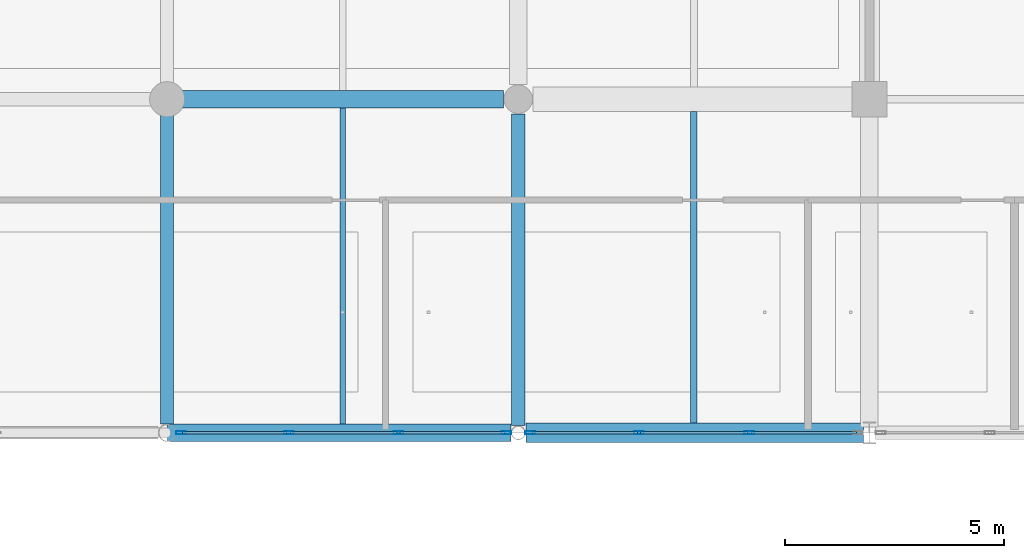
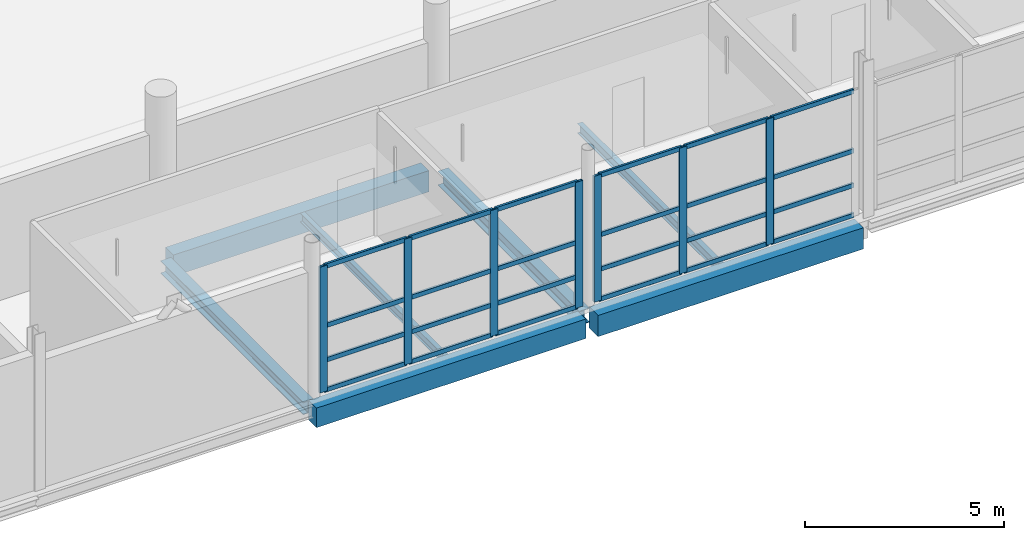
# One storey, part 50 of 141: 31 members, 7 beams, 2 elements without a shape of their own.
"""IFC4 building model written with IfcOpenShell, lengths in metres."""

import ifcopenshell
import ifcopenshell.guid

model = None  # the IFC model being written
_history = None  # IfcOwnerHistory: only IFC2X3 demands one
_inside = {}  # id of a spatial element -> (the spatial element, [elements in it])
_under = {}  # id of a project, library or spatial element -> (it, [spatial elements below it])
_declared = {}  # id of a project -> (the project, [libraries it declares])
_typed = {}  # id of a type object -> (the type object, [elements of that type])
_made_of = {}  # id of a material, layer set ... -> (it, [elements and type objects made of it])


def new_model(schema):
    """Start an empty IFC model of exactly this schema.

    Asked for "IFC4X3", IfcOpenShell would pick the latest addendum, in which some entities
    have other attributes; the version numbers below select the first issue.
    IFC2X3 requires an IfcOwnerHistory on every rooted entity: one is made here for all.
    """
    global model, _history
    if schema == "IFC4X3":
        model = ifcopenshell.file(schema_version=(4, 3, 0, 0))
    else:
        model = ifcopenshell.file(schema=schema)
    _inside.clear()
    _under.clear()
    _declared.clear()
    _typed.clear()
    _made_of.clear()
    _history = None
    if model.schema == "IFC2X3":
        org = make("IfcOrganization", Name="unknown")
        user = make(
            "IfcPersonAndOrganization",
            ThePerson=make("IfcPerson", FamilyName="unknown"),
            TheOrganization=org,
        )
        app = make(
            "IfcApplication",
            ApplicationDeveloper=org,
            Version="unknown",
            ApplicationFullName="unknown",
            ApplicationIdentifier="unknown",
        )
        _history = make(
            "IfcOwnerHistory",
            OwningUser=user,
            OwningApplication=app,
            ChangeAction="ADDED",
            CreationDate=0,
        )
    return model


def make(cls, **values):
    """One entity of the class cls with the attributes given. An attribute that is None is left unset."""
    return model.create_entity(
        cls, **{name: value for name, value in values.items() if value is not None}
    )


def rooted(cls, **values):
    """An entity with a GlobalId (a new one), such as an element, a storey or a relation."""
    return make(cls, GlobalId=ifcopenshell.guid.new(), OwnerHistory=_history, **values)


def si_unit(unit_type, name, prefix=None):
    """IfcSIUnit, for example si_unit("LENGTHUNIT", "METRE", prefix="MILLI")."""
    return make("IfcSIUnit", UnitType=unit_type, Prefix=prefix, Name=name)


def assignment(units):
    """IfcUnitAssignment: the units of a project."""
    return None if units is None else make("IfcUnitAssignment", Units=units)


def point(xyz):
    """IfcCartesianPoint."""
    return None if xyz is None else make("IfcCartesianPoint", Coordinates=xyz)


def direction(xyz):
    """IfcDirection."""
    return None if xyz is None else make("IfcDirection", DirectionRatios=xyz)


def frame(location, z_axis=None, x_axis=None):
    """IfcAxis2Placement3D, a coordinate frame: its origin and axes. An axis left out is left unset."""
    return make(
        "IfcAxis2Placement3D",
        Location=point(location),
        Axis=direction(z_axis),
        RefDirection=direction(x_axis),
    )


def frame_2d(location, x_axis=None):
    """IfcAxis2Placement2D, a coordinate frame in the plane: its origin and x axis."""
    return make(
        "IfcAxis2Placement2D", Location=point(location), RefDirection=direction(x_axis)
    )


def origin():
    """The frame at (0, 0, 0) with its axes left unset."""
    return frame((0.0, 0.0, 0.0))


def origin_2d():
    """The frame at (0, 0) in the plane with its x axis left unset."""
    return frame_2d((0.0, 0.0))


def place(relative_to, where):
    """IfcLocalPlacement: puts the frame where relative to a parent placement (None: the world)."""
    return make(
        "IfcLocalPlacement", PlacementRelTo=relative_to, RelativePlacement=where
    )


def context(
    kind, dimensions, precision=None, world=None, true_north=None, identifier=None
):
    """IfcGeometricRepresentationContext, for example the 3D "Model" context."""
    return make(
        "IfcGeometricRepresentationContext",
        ContextIdentifier=identifier,
        ContextType=kind,
        CoordinateSpaceDimension=dimensions,
        Precision=precision,
        WorldCoordinateSystem=world,
        TrueNorth=true_north,
    )


def subcontext(parent, identifier, kind, view, scale=None):
    """IfcGeometricRepresentationSubContext, for example "Body" below "Model"."""
    return make(
        "IfcGeometricRepresentationSubContext",
        ContextIdentifier=identifier,
        ContextType=kind,
        ParentContext=parent,
        TargetScale=scale,
        TargetView=view,
    )


def project(units=None, contexts=None):
    """IfcProject with its units and contexts."""
    return rooted(
        "IfcProject",
        Name="project",
        RepresentationContexts=contexts,
        UnitsInContext=assignment(units),
    )


def spatial(cls, under=None, at=None, **own):
    """A site, building, storey or space (cls), placed at a placement, below another one or the project."""
    s = rooted(cls, ObjectPlacement=at, **own)
    if under is not None:
        _under.setdefault(under.id(), (under, []))[1].append(s)
    return s


def profile(cls, at=None, kind="AREA", **sizes):
    """A parametric profile (cls). Its sizes go by their IFC names, for example OverallWidth=200.0."""
    return make(cls, ProfileType=kind, Position=at, **sizes)


def rectangle(**sizes):
    """IfcRectangleProfileDef."""
    return profile("IfcRectangleProfileDef", **sizes)


def hollow_rectangle(**sizes):
    """IfcRectangleHollowProfileDef."""
    return profile("IfcRectangleHollowProfileDef", **sizes)


def i_section(**sizes):
    """IfcIShapeProfileDef."""
    return profile("IfcIShapeProfileDef", **sizes)


def extrude(swept, where, along, depth):
    """IfcExtrudedAreaSolid: the profile swept, set in the frame where, extruded along a direction by depth."""
    return make(
        "IfcExtrudedAreaSolid",
        SweptArea=swept,
        Position=where,
        ExtrudedDirection=direction(along),
        Depth=depth,
    )


def shape(context_of_items, identifier, shape_type, items):
    """IfcShapeRepresentation: the items that make up one representation, for example the "Body"."""
    return make(
        "IfcShapeRepresentation",
        ContextOfItems=context_of_items,
        RepresentationIdentifier=identifier,
        RepresentationType=shape_type,
        Items=items,
    )


def material(Name=None, Category=None):
    """IfcMaterial."""
    return make("IfcMaterial", Name=Name, Category=Category)


def material_profile(
    of_material, cross_section, Name=None, Category=None, Priority=None
):
    """IfcMaterialProfile: a cross section and its material."""
    return make(
        "IfcMaterialProfile",
        Name=Name,
        Material=of_material,
        Profile=cross_section,
        Priority=Priority,
        Category=Category,
    )


def profile_set(profiles, Name=None, composite=None):
    """IfcMaterialProfileSet."""
    return make(
        "IfcMaterialProfileSet",
        Name=Name,
        MaterialProfiles=profiles,
        CompositeProfile=composite,
    )


def made_of(thing, what):
    """Note that an element or type object is made of a material, layer set ...; save() writes the relation."""
    if what is not None:
        _made_of.setdefault(what.id(), (what, []))[1].append(thing)
    return thing


def type_object(cls, material=None, **own):
    """A type object (cls), such as IfcWallType, which elements share."""
    return made_of(rooted(cls, **own), material)


def element(
    cls,
    number,
    at=None,
    inside=None,
    cuts=None,
    type_object=None,
    material=None,
    context=None,
    identifier="Body",
    shape_type=None,
    held_by="IfcProductDefinitionShape",
    body=None,
    shapes=None,
    **own,
):
    """One element of the class cls, such as IfcWall. Its Tag is "e" and its number.

    at: its placement. inside: the storey or other place that contains it. cuts: it is an
    opening in that element (IfcRelVoidsElement). A single representation is given by context,
    identifier, shape_type and body (its items); several are given by shapes. held_by: the class
    of the entity that holds the representations. save() writes the other relations.
    """
    e = rooted(cls, Tag="e%d" % number, ObjectPlacement=at, **own)
    if body is not None:
        shapes = [shape(context, identifier, shape_type, body)]
    if shapes is not None:
        e.Representation = make(held_by, Representations=shapes)
    if inside is not None:
        _inside.setdefault(inside.id(), (inside, []))[1].append(e)
    if cuts is not None:
        rooted(
            "IfcRelVoidsElement", RelatingBuildingElement=cuts, RelatedOpeningElement=e
        )
    if type_object is not None:
        _typed.setdefault(type_object.id(), (type_object, []))[1].append(e)
    return made_of(e, material)


def aggregate(whole, parts):
    """IfcRelAggregates: a whole, such as a stair, and the parts it consists of."""
    return rooted("IfcRelAggregates", RelatingObject=whole, RelatedObjects=parts)


def save(model, path):
    """Write the relations noted so far, then the file.

    IfcRelAggregates (storeys below a building ...), IfcRelContainedInSpatialStructure (elements
    in a storey), IfcRelDefinesByType, IfcRelAssociatesMaterial and IfcRelDeclares: one each for
    every whole, place, type object, material and project.
    """
    for whole, parts in _under.values():
        aggregate(whole, parts)
    for where, things in _inside.values():
        rooted(
            "IfcRelContainedInSpatialStructure",
            RelatedElements=things,
            RelatingStructure=where,
        )
    for kind, things in _typed.values():
        rooted("IfcRelDefinesByType", RelatedObjects=things, RelatingType=kind)
    for what, things in _made_of.values():
        rooted("IfcRelAssociatesMaterial", RelatedObjects=things, RelatingMaterial=what)
    for by, libraries in _declared.values():
        rooted("IfcRelDeclares", RelatingContext=by, RelatedDefinitions=libraries)
    model.write(path)


model = new_model("IFC4")

# Units and contexts
model_context = context("Model", 3, precision=1e-05, world=origin(), true_north=direction((0.0, 1.0)))
body_context = subcontext(model_context, "Body", "Model", "MODEL_VIEW")
ifc_project = project(units=[si_unit("LENGTHUNIT", "METRE"), si_unit("AREAUNIT", "SQUARE_METRE"), si_unit("VOLUMEUNIT", "CUBIC_METRE"), si_unit("PLANEANGLEUNIT", "RADIAN"), si_unit("MASSUNIT", "GRAM", prefix="KILO")], contexts=[model_context])

# Site, building, storey
site_placement = place(None, origin())
site = spatial("IfcSite", under=ifc_project, at=site_placement, CompositionType="ELEMENT")
building_placement = place(site_placement, origin())
building = spatial("IfcBuilding", under=site, at=building_placement, Name="Khelvaren Railside Concert Hall", CompositionType="ELEMENT")
storey_placement = place(building_placement, frame((0.0, 0.0, 10.199951171875)))
storey = spatial("IfcBuildingStorey", under=building, at=storey_placement, Name="L02", CompositionType="ELEMENT", Elevation=10.199951171875)

# Beams
ifc_material_1 = material(Name="Steel S355", Category="steel")
ifc_material_profile_1 = material_profile(ifc_material_1, i_section(OverallWidth=0.300048828125, OverallDepth=0.389892578125, WebThickness=0.010986328125, FlangeThickness=0.01904296875, FilletRadius=0.027099609375, at=origin_2d()), Name="HEA 400")
ifc_profile_set_1 = profile_set([ifc_material_profile_1], Name="Steel S355")
beam_type_1 = type_object("IfcBeamType", Name="BM23", PredefinedType="BEAM", material=ifc_profile_set_1)
beam_1_placement = place(storey_placement, frame((160.0, 0.195068359375, -0.48486328125), z_axis=(0.0, 1.0, 0.0), x_axis=(-1.0, 0.0, 0.0)))
element("IfcBeam", 1, at=beam_1_placement, inside=storey, type_object=beam_type_1, Name="V2 L02 Beam Y3.1", PredefinedType="BEAM", context=body_context, shape_type="SweptSolid", body=[
    extrude(i_section(OverallWidth=0.300048828125, OverallDepth=0.389892578125, WebThickness=0.010986328125, FlangeThickness=0.01904296875, FilletRadius=0.027099609375, at=origin_2d()), origin(), (0.0, 0.0, 1.0), 7.155029296875),
])
ifc_material_2 = material(Name="Concrete C40/50", Category="concrete")
ifc_material_profile_2 = material_profile(ifc_material_2, rectangle(XDim=0.39990234375, YDim=0.64990234375, at=origin_2d()), Name="RCB 400x650")
ifc_profile_set_2 = profile_set([ifc_material_profile_2], Name="Concrete C40/50")
beam_type_2 = type_object("IfcBeamType", Name="BM33", PredefinedType="BEAM", material=ifc_profile_set_2)
beam_2_placement = place(storey_placement, frame((160.25, 7.60009765625, -0.614990234375), z_axis=(1.0, 0.0, 0.0), x_axis=(0.0, 1.0, 0.0)))
element("IfcBeam", 2, at=beam_2_placement, inside=storey, type_object=beam_type_2, Name="V2 L02 Beam X2.3", PredefinedType="BEAM", context=body_context, shape_type="SweptSolid", body=[
    extrude(rectangle(XDim=0.39990234375, YDim=0.64990234375, at=origin_2d()), origin(), (0.0, 0.0, 1.0), 7.4140625),
])
ifc_material_profile_3 = material_profile(ifc_material_1, i_section(OverallWidth=0.300048828125, OverallDepth=0.43994140625, WebThickness=0.011474609375, FlangeThickness=0.02099609375, FilletRadius=0.027099609375, at=origin_2d()), Name="HEA 450")
ifc_profile_set_3 = profile_set([ifc_material_profile_3], Name="Steel S355")
beam_type_3 = type_object("IfcBeamType", Name="BM89", PredefinedType="BEAM", material=ifc_profile_set_3)
beam_3_placement = place(storey_placement, frame((168.0, 0.170654296875, -0.510009765625), z_axis=(0.0, 1.0, 0.0), x_axis=(-1.0, 0.0, 0.0)))
element("IfcBeam", 3, at=beam_3_placement, inside=storey, type_object=beam_type_3, Name="V2 L02 Beam Y4.1", PredefinedType="BEAM", context=body_context, shape_type="SweptSolid", body=[
    extrude(i_section(OverallWidth=0.300048828125, OverallDepth=0.43994140625, WebThickness=0.011474609375, FlangeThickness=0.02099609375, FilletRadius=0.027099609375, at=origin_2d()), origin(), (0.0, 0.0, 1.0), 7.09326171875),
])

# Curtain wall, members
ifc_material_3 = material(Name="Double-glazed clear foyer glass", Category="glass")
curtain_wall_type_1 = type_object("IfcCurtainWallType", Name="CW68", PredefinedType="USERDEFINED", material=ifc_material_3)
curtain_wall_1_placement = place(storey_placement, origin())
curtain_wall_1 = element("IfcCurtainWall", 4, at=curtain_wall_1_placement, inside=storey, type_object=curtain_wall_type_1, Name="Unitised Curtain Wall CW-V2-L02-S-160", ObjectType="UNITISED CURTAIN WALL", PredefinedType="USERDEFINED")
ifc_material_4 = material(Name="Anodised architectural aluminium 6063-T6", Category="aluminium")
ifc_material_profile_4 = material_profile(ifc_material_4, hollow_rectangle(XDim=0.074951171875, YDim=0.219970703125, WallThickness=0.0048828125, InnerFilletRadius=0.0029296875, OuterFilletRadius=0.0048828125, at=origin_2d()), Name="CWM 75x220x5")
ifc_profile_set_4 = profile_set([ifc_material_profile_4], Name="Anodised architectural aluminium 6063-T6")
member_type_1 = type_object("IfcMemberType", Name="CWM13", PredefinedType="MULLION", material=ifc_profile_set_4)
member_1_placement = place(storey_placement, frame((167.72802734375, 0.0, 0.0), z_axis=(0.0, 0.0, 1.0), x_axis=(0.0, -1.0, 0.0)))
member_1 = element("IfcMember", 5, at=member_1_placement, type_object=member_type_1, Name="CW68 mullion 1", PredefinedType="MULLION", context=body_context, shape_type="SweptSolid", body=[
    extrude(hollow_rectangle(XDim=0.074951171875, YDim=0.219970703125, WallThickness=0.0048828125, InnerFilletRadius=0.0029296875, OuterFilletRadius=0.0048828125, at=origin_2d()), origin(), (0.0, 0.0, 1.0), 3.860107421875),
])
member_2_placement = place(storey_placement, frame((165.268798828125, 0.0, 0.0), z_axis=(0.0, 0.0, 1.0), x_axis=(0.0, -1.0, 0.0)))
member_2 = element("IfcMember", 6, at=member_2_placement, type_object=member_type_1, Name="CW68 mullion 2", PredefinedType="MULLION", context=body_context, shape_type="SweptSolid", body=[
    extrude(hollow_rectangle(XDim=0.074951171875, YDim=0.219970703125, WallThickness=0.0048828125, InnerFilletRadius=0.0029296875, OuterFilletRadius=0.0048828125, at=origin_2d()), origin(), (0.0, 0.0, 1.0), 3.860107421875),
])
member_3_placement = place(storey_placement, frame((162.772216796875, 0.0, 0.0), z_axis=(0.0, 0.0, 1.0), x_axis=(0.0, -1.0, 0.0)))
member_3 = element("IfcMember", 7, at=member_3_placement, type_object=member_type_1, Name="CW68 mullion 3", PredefinedType="MULLION", context=body_context, shape_type="SweptSolid", body=[
    extrude(hollow_rectangle(XDim=0.074951171875, YDim=0.219970703125, WallThickness=0.0048828125, InnerFilletRadius=0.0029296875, OuterFilletRadius=0.0048828125, at=origin_2d()), origin(), (0.0, 0.0, 1.0), 3.860107421875),
])
member_4_placement = place(storey_placement, frame((160.313232421875, 0.0, 0.0), z_axis=(0.0, 0.0, 1.0), x_axis=(0.0, -1.0, 0.0)))
member_4 = element("IfcMember", 8, at=member_4_placement, type_object=member_type_1, Name="CW68 mullion 4", PredefinedType="MULLION", context=body_context, shape_type="SweptSolid", body=[
    extrude(hollow_rectangle(XDim=0.074951171875, YDim=0.219970703125, WallThickness=0.0048828125, InnerFilletRadius=0.0029296875, OuterFilletRadius=0.0048828125, at=origin_2d()), origin(), (0.0, 0.0, 1.0), 3.860107421875),
])

curtain_wall_type_2 = type_object("IfcCurtainWallType", Name="CW70", PredefinedType="USERDEFINED", material=ifc_material_3)
curtain_wall_2_placement = place(storey_placement, origin())
curtain_wall_2 = element("IfcCurtainWall", 9, at=curtain_wall_2_placement, inside=storey, type_object=curtain_wall_type_2, Name="Unitised Curtain Wall CW-V2-L02-S-168", ObjectType="UNITISED CURTAIN WALL", PredefinedType="USERDEFINED")
member_5_placement = place(storey_placement, frame((173.26318359375, 0.0, 0.0), z_axis=(0.0, 0.0, 1.0), x_axis=(0.0, -1.0, 0.0)))
member_5 = element("IfcMember", 10, at=member_5_placement, type_object=member_type_1, Name="CW70 mullion 2", PredefinedType="MULLION", context=body_context, shape_type="SweptSolid", body=[
    extrude(hollow_rectangle(XDim=0.074951171875, YDim=0.219970703125, WallThickness=0.0048828125, InnerFilletRadius=0.0029296875, OuterFilletRadius=0.0048828125, at=origin_2d()), origin(), (0.0, 0.0, 1.0), 3.860107421875),
])
member_6_placement = place(storey_placement, frame((170.748779296875, 0.0, 0.0), z_axis=(0.0, 0.0, 1.0), x_axis=(0.0, -1.0, 0.0)))
member_6 = element("IfcMember", 11, at=member_6_placement, type_object=member_type_1, Name="CW70 mullion 3", PredefinedType="MULLION", context=body_context, shape_type="SweptSolid", body=[
    extrude(hollow_rectangle(XDim=0.074951171875, YDim=0.219970703125, WallThickness=0.0048828125, InnerFilletRadius=0.0029296875, OuterFilletRadius=0.0048828125, at=origin_2d()), origin(), (0.0, 0.0, 1.0), 3.860107421875),
])
member_7_placement = place(storey_placement, frame((168.27197265625, 0.0, 0.0), z_axis=(0.0, 0.0, 1.0), x_axis=(0.0, -1.0, 0.0)))
member_7 = element("IfcMember", 12, at=member_7_placement, type_object=member_type_1, Name="CW70 mullion 4", PredefinedType="MULLION", context=body_context, shape_type="SweptSolid", body=[
    extrude(hollow_rectangle(XDim=0.074951171875, YDim=0.219970703125, WallThickness=0.0048828125, InnerFilletRadius=0.0029296875, OuterFilletRadius=0.0048828125, at=origin_2d()), origin(), (0.0, 0.0, 1.0), 3.860107421875),
])

# Member
ifc_material_profile_5 = material_profile(ifc_material_4, hollow_rectangle(XDim=0.06494140625, YDim=0.139892578125, WallThickness=0.00390625, InnerFilletRadius=0.001953125, OuterFilletRadius=0.00390625, at=origin_2d()), Name="CWT 65x140x4")
ifc_profile_set_5 = profile_set([ifc_material_profile_5], Name="Anodised architectural aluminium 6063-T6")
member_type_2 = type_object("IfcMemberType", Name="CWT72", PredefinedType="USERDEFINED", material=ifc_profile_set_5)
member_8_placement = place(storey_placement, frame((167.6904296875, 0.0, 0.032470703125), z_axis=(-1.0, 0.0, 0.0), x_axis=(0.0, -1.0, 0.0)))
member_8 = element("IfcMember", 13, at=member_8_placement, type_object=member_type_2, Name="CW68 transom 1.1", ObjectType="TRANSOM", PredefinedType="USERDEFINED", context=body_context, shape_type="SweptSolid", body=[
    extrude(hollow_rectangle(XDim=0.06494140625, YDim=0.139892578125, WallThickness=0.00390625, InnerFilletRadius=0.001953125, OuterFilletRadius=0.00390625, at=origin_2d()), origin(), (0.0, 0.0, 1.0), 2.384033203125),
])

member_9_placement = place(storey_placement, frame((167.6904296875, 0.0, 0.949951171875), z_axis=(-1.0, 0.0, 0.0), x_axis=(0.0, -1.0, 0.0)))
member_9 = element("IfcMember", 14, at=member_9_placement, type_object=member_type_2, Name="CW68 transom 1.2", ObjectType="TRANSOM", PredefinedType="USERDEFINED", context=body_context, shape_type="SweptSolid", body=[
    extrude(hollow_rectangle(XDim=0.06494140625, YDim=0.139892578125, WallThickness=0.00390625, InnerFilletRadius=0.001953125, OuterFilletRadius=0.00390625, at=origin_2d()), origin(), (0.0, 0.0, 1.0), 2.384033203125),
])

member_10_placement = place(storey_placement, frame((167.6904296875, 0.0, 2.00732421875), z_axis=(-1.0, 0.0, 0.0), x_axis=(0.0, -1.0, 0.0)))
member_10 = element("IfcMember", 15, at=member_10_placement, type_object=member_type_2, Name="CW68 transom 1.3", ObjectType="TRANSOM", PredefinedType="USERDEFINED", context=body_context, shape_type="SweptSolid", body=[
    extrude(hollow_rectangle(XDim=0.06494140625, YDim=0.139892578125, WallThickness=0.00390625, InnerFilletRadius=0.001953125, OuterFilletRadius=0.00390625, at=origin_2d()), origin(), (0.0, 0.0, 1.0), 2.384033203125),
])

member_11_placement = place(storey_placement, frame((167.6904296875, 0.0, 3.82763671875), z_axis=(-1.0, 0.0, 0.0), x_axis=(0.0, -1.0, 0.0)))
member_11 = element("IfcMember", 16, at=member_11_placement, type_object=member_type_2, Name="CW68 transom 1.4", ObjectType="TRANSOM", PredefinedType="USERDEFINED", context=body_context, shape_type="SweptSolid", body=[
    extrude(hollow_rectangle(XDim=0.06494140625, YDim=0.139892578125, WallThickness=0.00390625, InnerFilletRadius=0.001953125, OuterFilletRadius=0.00390625, at=origin_2d()), origin(), (0.0, 0.0, 1.0), 2.384033203125),
])

member_12_placement = place(storey_placement, frame((165.2314453125, 0.0, 0.032470703125), z_axis=(-1.0, 0.0, 0.0), x_axis=(0.0, -1.0, 0.0)))
member_12 = element("IfcMember", 17, at=member_12_placement, type_object=member_type_2, Name="CW68 transom 2.1", ObjectType="TRANSOM", PredefinedType="USERDEFINED", context=body_context, shape_type="SweptSolid", body=[
    extrude(hollow_rectangle(XDim=0.06494140625, YDim=0.139892578125, WallThickness=0.00390625, InnerFilletRadius=0.001953125, OuterFilletRadius=0.00390625, at=origin_2d()), origin(), (0.0, 0.0, 1.0), 2.421630859375),
])

member_13_placement = place(storey_placement, frame((165.2314453125, 0.0, 0.949951171875), z_axis=(-1.0, 0.0, 0.0), x_axis=(0.0, -1.0, 0.0)))
member_13 = element("IfcMember", 18, at=member_13_placement, type_object=member_type_2, Name="CW68 transom 2.2", ObjectType="TRANSOM", PredefinedType="USERDEFINED", context=body_context, shape_type="SweptSolid", body=[
    extrude(hollow_rectangle(XDim=0.06494140625, YDim=0.139892578125, WallThickness=0.00390625, InnerFilletRadius=0.001953125, OuterFilletRadius=0.00390625, at=origin_2d()), origin(), (0.0, 0.0, 1.0), 2.421630859375),
])

member_14_placement = place(storey_placement, frame((165.2314453125, 0.0, 2.00732421875), z_axis=(-1.0, 0.0, 0.0), x_axis=(0.0, -1.0, 0.0)))
member_14 = element("IfcMember", 19, at=member_14_placement, type_object=member_type_2, Name="CW68 transom 2.3", ObjectType="TRANSOM", PredefinedType="USERDEFINED", context=body_context, shape_type="SweptSolid", body=[
    extrude(hollow_rectangle(XDim=0.06494140625, YDim=0.139892578125, WallThickness=0.00390625, InnerFilletRadius=0.001953125, OuterFilletRadius=0.00390625, at=origin_2d()), origin(), (0.0, 0.0, 1.0), 2.421630859375),
])

member_15_placement = place(storey_placement, frame((165.2314453125, 0.0, 3.82763671875), z_axis=(-1.0, 0.0, 0.0), x_axis=(0.0, -1.0, 0.0)))
member_15 = element("IfcMember", 20, at=member_15_placement, type_object=member_type_2, Name="CW68 transom 2.4", ObjectType="TRANSOM", PredefinedType="USERDEFINED", context=body_context, shape_type="SweptSolid", body=[
    extrude(hollow_rectangle(XDim=0.06494140625, YDim=0.139892578125, WallThickness=0.00390625, InnerFilletRadius=0.001953125, OuterFilletRadius=0.00390625, at=origin_2d()), origin(), (0.0, 0.0, 1.0), 2.421630859375),
])

member_16_placement = place(storey_placement, frame((162.73486328125, 0.0, 0.032470703125), z_axis=(-1.0, 0.0, 0.0), x_axis=(0.0, -1.0, 0.0)))
member_16 = element("IfcMember", 21, at=member_16_placement, type_object=member_type_2, Name="CW68 transom 3.1", ObjectType="TRANSOM", PredefinedType="USERDEFINED", context=body_context, shape_type="SweptSolid", body=[
    extrude(hollow_rectangle(XDim=0.06494140625, YDim=0.139892578125, WallThickness=0.00390625, InnerFilletRadius=0.001953125, OuterFilletRadius=0.00390625, at=origin_2d()), origin(), (0.0, 0.0, 1.0), 2.38427734375),
])

member_17_placement = place(storey_placement, frame((162.73486328125, 0.0, 0.949951171875), z_axis=(-1.0, 0.0, 0.0), x_axis=(0.0, -1.0, 0.0)))
member_17 = element("IfcMember", 22, at=member_17_placement, type_object=member_type_2, Name="CW68 transom 3.2", ObjectType="TRANSOM", PredefinedType="USERDEFINED", context=body_context, shape_type="SweptSolid", body=[
    extrude(hollow_rectangle(XDim=0.06494140625, YDim=0.139892578125, WallThickness=0.00390625, InnerFilletRadius=0.001953125, OuterFilletRadius=0.00390625, at=origin_2d()), origin(), (0.0, 0.0, 1.0), 2.38427734375),
])

member_18_placement = place(storey_placement, frame((162.73486328125, 0.0, 2.00732421875), z_axis=(-1.0, 0.0, 0.0), x_axis=(0.0, -1.0, 0.0)))
member_18 = element("IfcMember", 23, at=member_18_placement, type_object=member_type_2, Name="CW68 transom 3.3", ObjectType="TRANSOM", PredefinedType="USERDEFINED", context=body_context, shape_type="SweptSolid", body=[
    extrude(hollow_rectangle(XDim=0.06494140625, YDim=0.139892578125, WallThickness=0.00390625, InnerFilletRadius=0.001953125, OuterFilletRadius=0.00390625, at=origin_2d()), origin(), (0.0, 0.0, 1.0), 2.38427734375),
])

member_19_placement = place(storey_placement, frame((162.73486328125, 0.0, 3.82763671875), z_axis=(-1.0, 0.0, 0.0), x_axis=(0.0, -1.0, 0.0)))
member_19 = element("IfcMember", 24, at=member_19_placement, type_object=member_type_2, Name="CW68 transom 3.4", ObjectType="TRANSOM", PredefinedType="USERDEFINED", context=body_context, shape_type="SweptSolid", body=[
    extrude(hollow_rectangle(XDim=0.06494140625, YDim=0.139892578125, WallThickness=0.00390625, InnerFilletRadius=0.001953125, OuterFilletRadius=0.00390625, at=origin_2d()), origin(), (0.0, 0.0, 1.0), 2.38427734375),
])

aggregate(curtain_wall_1, [member_1, member_2, member_3, member_4, member_8, member_9, member_10, member_11, member_12, member_13, member_14, member_15, member_16, member_17, member_18, member_19])

member_20_placement = place(storey_placement, frame((175.702392578125, 0.0, 0.032470703125), z_axis=(-1.0, 0.0, 0.0), x_axis=(0.0, -1.0, 0.0)))
member_20 = element("IfcMember", 25, at=member_20_placement, type_object=member_type_2, Name="CW70 transom 1.1", ObjectType="TRANSOM", PredefinedType="USERDEFINED", context=body_context, shape_type="SweptSolid", body=[
    extrude(hollow_rectangle(XDim=0.06494140625, YDim=0.139892578125, WallThickness=0.00390625, InnerFilletRadius=0.001953125, OuterFilletRadius=0.00390625, at=origin_2d()), origin(), (0.0, 0.0, 1.0), 2.401611328125),
])

member_21_placement = place(storey_placement, frame((175.702392578125, 0.0, 0.949951171875), z_axis=(-1.0, 0.0, 0.0), x_axis=(0.0, -1.0, 0.0)))
member_21 = element("IfcMember", 26, at=member_21_placement, type_object=member_type_2, Name="CW70 transom 1.2", ObjectType="TRANSOM", PredefinedType="USERDEFINED", context=body_context, shape_type="SweptSolid", body=[
    extrude(hollow_rectangle(XDim=0.06494140625, YDim=0.139892578125, WallThickness=0.00390625, InnerFilletRadius=0.001953125, OuterFilletRadius=0.00390625, at=origin_2d()), origin(), (0.0, 0.0, 1.0), 2.401611328125),
])

member_22_placement = place(storey_placement, frame((175.702392578125, 0.0, 2.00732421875), z_axis=(-1.0, 0.0, 0.0), x_axis=(0.0, -1.0, 0.0)))
member_22 = element("IfcMember", 27, at=member_22_placement, type_object=member_type_2, Name="CW70 transom 1.3", ObjectType="TRANSOM", PredefinedType="USERDEFINED", context=body_context, shape_type="SweptSolid", body=[
    extrude(hollow_rectangle(XDim=0.06494140625, YDim=0.139892578125, WallThickness=0.00390625, InnerFilletRadius=0.001953125, OuterFilletRadius=0.00390625, at=origin_2d()), origin(), (0.0, 0.0, 1.0), 2.401611328125),
])

member_23_placement = place(storey_placement, frame((175.702392578125, 0.0, 3.82763671875), z_axis=(-1.0, 0.0, 0.0), x_axis=(0.0, -1.0, 0.0)))
member_23 = element("IfcMember", 28, at=member_23_placement, type_object=member_type_2, Name="CW70 transom 1.4", ObjectType="TRANSOM", PredefinedType="USERDEFINED", context=body_context, shape_type="SweptSolid", body=[
    extrude(hollow_rectangle(XDim=0.06494140625, YDim=0.139892578125, WallThickness=0.00390625, InnerFilletRadius=0.001953125, OuterFilletRadius=0.00390625, at=origin_2d()), origin(), (0.0, 0.0, 1.0), 2.401611328125),
])

member_24_placement = place(storey_placement, frame((173.2255859375, 0.0, 0.032470703125), z_axis=(-1.0, 0.0, 0.0), x_axis=(0.0, -1.0, 0.0)))
member_24 = element("IfcMember", 29, at=member_24_placement, type_object=member_type_2, Name="CW70 transom 2.1", ObjectType="TRANSOM", PredefinedType="USERDEFINED", context=body_context, shape_type="SweptSolid", body=[
    extrude(hollow_rectangle(XDim=0.06494140625, YDim=0.139892578125, WallThickness=0.00390625, InnerFilletRadius=0.001953125, OuterFilletRadius=0.00390625, at=origin_2d()), origin(), (0.0, 0.0, 1.0), 2.439208984375),
])

member_25_placement = place(storey_placement, frame((173.2255859375, 0.0, 0.949951171875), z_axis=(-1.0, 0.0, 0.0), x_axis=(0.0, -1.0, 0.0)))
member_25 = element("IfcMember", 30, at=member_25_placement, type_object=member_type_2, Name="CW70 transom 2.2", ObjectType="TRANSOM", PredefinedType="USERDEFINED", context=body_context, shape_type="SweptSolid", body=[
    extrude(hollow_rectangle(XDim=0.06494140625, YDim=0.139892578125, WallThickness=0.00390625, InnerFilletRadius=0.001953125, OuterFilletRadius=0.00390625, at=origin_2d()), origin(), (0.0, 0.0, 1.0), 2.439208984375),
])

member_26_placement = place(storey_placement, frame((173.2255859375, 0.0, 2.00732421875), z_axis=(-1.0, 0.0, 0.0), x_axis=(0.0, -1.0, 0.0)))
member_26 = element("IfcMember", 31, at=member_26_placement, type_object=member_type_2, Name="CW70 transom 2.3", ObjectType="TRANSOM", PredefinedType="USERDEFINED", context=body_context, shape_type="SweptSolid", body=[
    extrude(hollow_rectangle(XDim=0.06494140625, YDim=0.139892578125, WallThickness=0.00390625, InnerFilletRadius=0.001953125, OuterFilletRadius=0.00390625, at=origin_2d()), origin(), (0.0, 0.0, 1.0), 2.439208984375),
])

member_27_placement = place(storey_placement, frame((173.2255859375, 0.0, 3.82763671875), z_axis=(-1.0, 0.0, 0.0), x_axis=(0.0, -1.0, 0.0)))
member_27 = element("IfcMember", 32, at=member_27_placement, type_object=member_type_2, Name="CW70 transom 2.4", ObjectType="TRANSOM", PredefinedType="USERDEFINED", context=body_context, shape_type="SweptSolid", body=[
    extrude(hollow_rectangle(XDim=0.06494140625, YDim=0.139892578125, WallThickness=0.00390625, InnerFilletRadius=0.001953125, OuterFilletRadius=0.00390625, at=origin_2d()), origin(), (0.0, 0.0, 1.0), 2.439208984375),
])

member_28_placement = place(storey_placement, frame((170.71142578125, 0.0, 0.032470703125), z_axis=(-1.0, 0.0, 0.0), x_axis=(0.0, -1.0, 0.0)))
member_28 = element("IfcMember", 33, at=member_28_placement, type_object=member_type_2, Name="CW70 transom 3.1", ObjectType="TRANSOM", PredefinedType="USERDEFINED", context=body_context, shape_type="SweptSolid", body=[
    extrude(hollow_rectangle(XDim=0.06494140625, YDim=0.139892578125, WallThickness=0.00390625, InnerFilletRadius=0.001953125, OuterFilletRadius=0.00390625, at=origin_2d()), origin(), (0.0, 0.0, 1.0), 2.40185546875),
])

member_29_placement = place(storey_placement, frame((170.71142578125, 0.0, 0.949951171875), z_axis=(-1.0, 0.0, 0.0), x_axis=(0.0, -1.0, 0.0)))
member_29 = element("IfcMember", 34, at=member_29_placement, type_object=member_type_2, Name="CW70 transom 3.2", ObjectType="TRANSOM", PredefinedType="USERDEFINED", context=body_context, shape_type="SweptSolid", body=[
    extrude(hollow_rectangle(XDim=0.06494140625, YDim=0.139892578125, WallThickness=0.00390625, InnerFilletRadius=0.001953125, OuterFilletRadius=0.00390625, at=origin_2d()), origin(), (0.0, 0.0, 1.0), 2.40185546875),
])

member_30_placement = place(storey_placement, frame((170.71142578125, 0.0, 2.00732421875), z_axis=(-1.0, 0.0, 0.0), x_axis=(0.0, -1.0, 0.0)))
member_30 = element("IfcMember", 35, at=member_30_placement, type_object=member_type_2, Name="CW70 transom 3.3", ObjectType="TRANSOM", PredefinedType="USERDEFINED", context=body_context, shape_type="SweptSolid", body=[
    extrude(hollow_rectangle(XDim=0.06494140625, YDim=0.139892578125, WallThickness=0.00390625, InnerFilletRadius=0.001953125, OuterFilletRadius=0.00390625, at=origin_2d()), origin(), (0.0, 0.0, 1.0), 2.40185546875),
])

member_31_placement = place(storey_placement, frame((170.71142578125, 0.0, 3.82763671875), z_axis=(-1.0, 0.0, 0.0), x_axis=(0.0, -1.0, 0.0)))
member_31 = element("IfcMember", 36, at=member_31_placement, type_object=member_type_2, Name="CW70 transom 3.4", ObjectType="TRANSOM", PredefinedType="USERDEFINED", context=body_context, shape_type="SweptSolid", body=[
    extrude(hollow_rectangle(XDim=0.06494140625, YDim=0.139892578125, WallThickness=0.00390625, InnerFilletRadius=0.001953125, OuterFilletRadius=0.00390625, at=origin_2d()), origin(), (0.0, 0.0, 1.0), 2.40185546875),
])

aggregate(curtain_wall_2, [member_5, member_6, member_7, member_20, member_21, member_22, member_23, member_24, member_25, member_26, member_27, member_28, member_29, member_30, member_31])

# Beams
ifc_material_profile_6 = material_profile(ifc_material_1, i_section(OverallWidth=0.14990234375, OverallDepth=0.300048828125, WebThickness=0.007080078125, FlangeThickness=0.0107421875, FilletRadius=0.014892578125, at=origin_2d()), Name="IPE 300")
ifc_profile_set_6 = profile_set([ifc_material_profile_6], Name="Steel S355")
beam_type_4 = type_object("IfcBeamType", Name="JS26", PredefinedType="JOIST", material=ifc_profile_set_6)
beam_4_placement = place(storey_placement, frame((172.0, 0.22509765625, -0.43994140625), z_axis=(0.0, 1.0, 0.0), x_axis=(-1.0, 0.0, 0.0)))
element("IfcBeam", 37, at=beam_4_placement, inside=storey, type_object=beam_type_4, Name="V2 L02 Secondary Joist 4.1", PredefinedType="JOIST", context=body_context, shape_type="SweptSolid", body=[
    extrude(i_section(OverallWidth=0.14990234375, OverallDepth=0.300048828125, WebThickness=0.007080078125, FlangeThickness=0.0107421875, FilletRadius=0.014892578125, at=origin_2d()), origin(), (0.0, 0.0, 1.0), 7.099853515625),
])
ifc_material_profile_7 = material_profile(ifc_material_1, i_section(OverallWidth=0.135009765625, OverallDepth=0.27001953125, WebThickness=0.006591796875, FlangeThickness=0.01025390625, FilletRadius=0.014892578125, at=origin_2d()), Name="IPE 270")
ifc_profile_set_7 = profile_set([ifc_material_profile_7], Name="Steel S355")
beam_type_5 = type_object("IfcBeamType", Name="JS78", PredefinedType="JOIST", material=ifc_profile_set_7)
beam_5_placement = place(storey_placement, frame((164.0, 0.199951171875, -0.425048828125), z_axis=(0.0, 1.0, 0.0), x_axis=(-1.0, 0.0, 0.0)))
element("IfcBeam", 38, at=beam_5_placement, inside=storey, type_object=beam_type_5, Name="V2 L02 Secondary Joist 3.1", PredefinedType="JOIST", context=body_context, shape_type="SweptSolid", body=[
    extrude(i_section(OverallWidth=0.135009765625, OverallDepth=0.27001953125, WebThickness=0.006591796875, FlangeThickness=0.01025390625, FilletRadius=0.014892578125, at=origin_2d()), origin(), (0.0, 0.0, 1.0), 7.199951171875),
])
ifc_material_profile_8 = material_profile(ifc_material_2, rectangle(XDim=0.449951171875, YDim=0.64990234375, at=origin_2d()), Name="RCB 450x650")
ifc_profile_set_8 = profile_set([ifc_material_profile_8], Name="Concrete C40/50")
beam_type_6 = type_object("IfcBeamType", Name="SP34", PredefinedType="SPANDREL", material=ifc_profile_set_8)
beam_6_placement = place(storey_placement, frame((168.170654296875, 0.0, -0.614990234375), z_axis=(1.0, 0.0, 0.0), x_axis=(0.0, 1.0, 0.0)))
element("IfcBeam", 39, at=beam_6_placement, inside=storey, type_object=beam_type_6, Name="V2 L02 Spandrel X1.4", PredefinedType="SPANDREL", context=body_context, shape_type="SweptSolid", body=[
    extrude(rectangle(XDim=0.449951171875, YDim=0.64990234375, at=origin_2d()), origin(), (0.0, 0.0, 1.0), 7.693359375),
])
ifc_material_profile_9 = material_profile(ifc_material_2, rectangle(XDim=0.39990234375, YDim=0.60009765625, at=origin_2d()), Name="RCB 400x600")
ifc_profile_set_9 = profile_set([ifc_material_profile_9], Name="Concrete C40/50")
beam_type_7 = type_object("IfcBeamType", Name="SP75", PredefinedType="SPANDREL", material=ifc_profile_set_9)
beam_7_placement = place(storey_placement, frame((160.010009765625, 0.0, -0.58984375), z_axis=(1.0, 0.0, 0.0), x_axis=(0.0, 1.0, 0.0)))
element("IfcBeam", 40, at=beam_7_placement, inside=storey, type_object=beam_type_7, Name="V2 L02 Spandrel X1.3", PredefinedType="SPANDREL", context=body_context, shape_type="SweptSolid", body=[
    extrude(rectangle(XDim=0.39990234375, YDim=0.60009765625, at=origin_2d()), origin(), (0.0, 0.0, 1.0), 7.8193359375),
])

save(model, "model.ifc")
